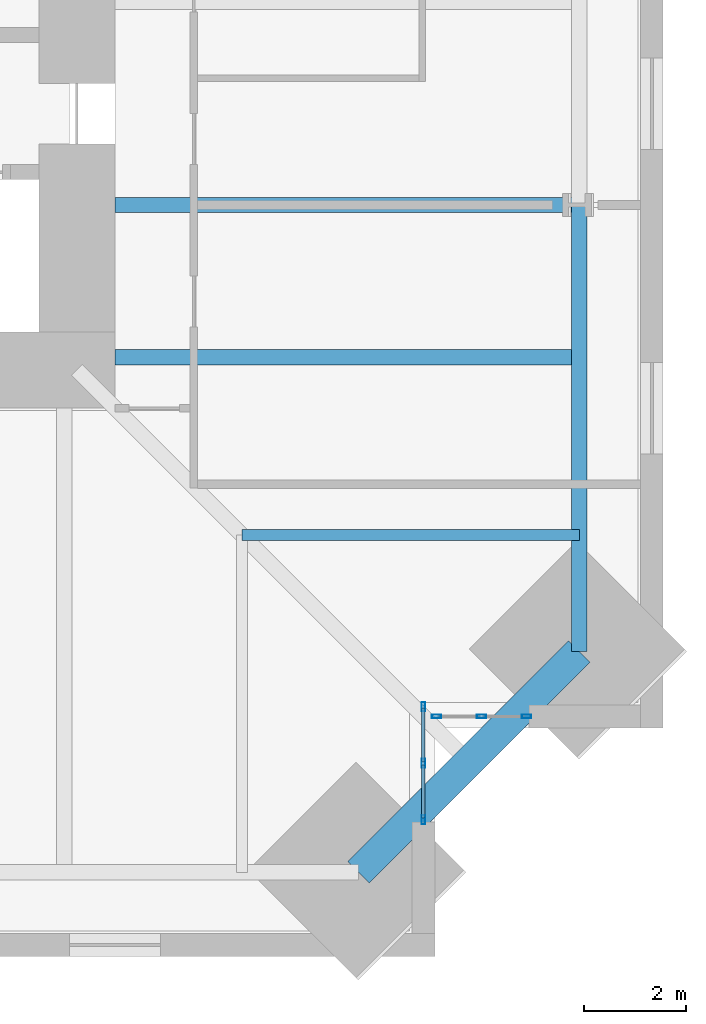
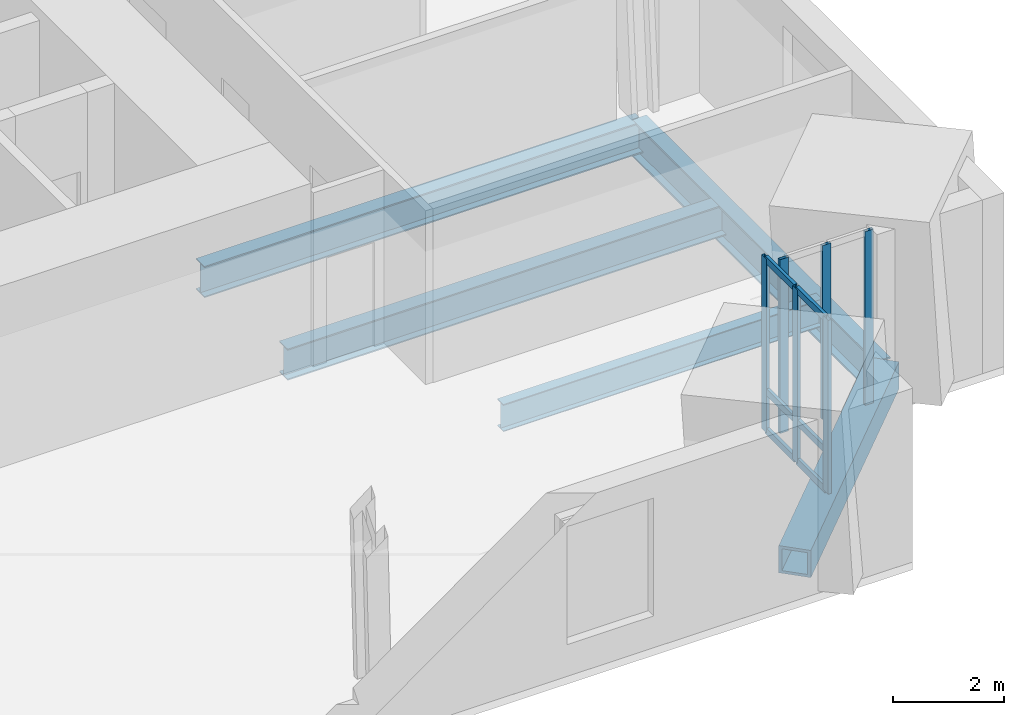
# One storey, part 4 of 15: 12 members, 5 beams, 2 elements without a shape of their own.
"""IFC4 building model written with IfcOpenShell, lengths in metres."""

from ifc_helpers import new_model, si_unit, direction, frame, origin, origin_2d, place, context, subcontext, project, spatial, hollow_rectangle, i_section, extrude, material, material_profile, profile_set, type_object, element, aggregate, save


model = new_model("IFC4")

# Units and contexts
model_context = context("Model", 3, precision=1e-05, world=origin(), true_north=direction((0.0, 1.0)))
body_context = subcontext(model_context, "Body", "Model", "MODEL_VIEW")
ifc_project = project(units=[si_unit("LENGTHUNIT", "METRE"), si_unit("AREAUNIT", "SQUARE_METRE"), si_unit("VOLUMEUNIT", "CUBIC_METRE"), si_unit("PLANEANGLEUNIT", "RADIAN"), si_unit("MASSUNIT", "GRAM", prefix="KILO")], contexts=[model_context])

# Site, building, storey
site_placement = place(None, origin())
site = spatial("IfcSite", under=ifc_project, at=site_placement, CompositionType="ELEMENT")
building_placement = place(site_placement, origin())
building = spatial("IfcBuilding", under=site, at=building_placement, Name="Peilmerk Tower", CompositionType="ELEMENT")
storey_placement = place(building_placement, frame((0.0, 0.0, 241.800048828125)))
storey = spatial("IfcBuildingStorey", under=building, at=storey_placement, Name="L53", CompositionType="ELEMENT", Elevation=241.800048828125)

# Beams
ifc_material_1 = material(Name="Steel S355", Category="steel")
ifc_material_profile_1 = material_profile(ifc_material_1, i_section(OverallWidth=0.219970703125, OverallDepth=0.60009765625, WebThickness=0.011962890625, FlangeThickness=0.01904296875, at=origin_2d()), Name="IPE 600")
ifc_profile_set_1 = profile_set([ifc_material_profile_1], Name="Steel S355")
beam_type_1 = type_object("IfcBeamType", Name="B10 IPE 600 floor beam", PredefinedType="BEAM", material=ifc_profile_set_1)
beam_1_placement = place(storey_placement, frame((14.5, -14.5, -0.469970703125), z_axis=(1.0, 0.0, 0.0), x_axis=(0.0, 1.0, 0.0)))
element("IfcBeam", 1, at=beam_1_placement, inside=storey, type_object=beam_type_1, Name="Floor beam L53", PredefinedType="BEAM", context=body_context, shape_type="SweptSolid", body=[
    extrude(i_section(OverallWidth=0.219970703125, OverallDepth=0.60009765625, WebThickness=0.011962890625, FlangeThickness=0.01904296875, at=origin_2d()), origin(), (0.0, 0.0, 1.0), 6.646728515625),
])
ifc_material_profile_2 = material_profile(ifc_material_1, i_section(OverallWidth=0.302978515625, OverallDepth=0.81396484375, WebThickness=0.02099609375, FlangeThickness=0.0400390625, at=origin_2d()), Name="HEM 800")
ifc_profile_set_2 = profile_set([ifc_material_profile_2], Name="Steel S355")
beam_type_2 = type_object("IfcBeamType", Name="B15 HEM 800 edge beam", PredefinedType="SPANDREL", material=ifc_profile_set_2)
beam_2_placement = place(storey_placement, frame((21.146728515625, -16.796875, -0.5771484375), z_axis=(0.0, 1.0, 0.0), x_axis=(-1.0, 0.0, 0.0)))
element("IfcBeam", 2, at=beam_2_placement, inside=storey, type_object=beam_type_2, Name="Edge beam L53", PredefinedType="SPANDREL", context=body_context, shape_type="SweptSolid", body=[
    extrude(i_section(OverallWidth=0.302978515625, OverallDepth=0.81396484375, WebThickness=0.02099609375, FlangeThickness=0.0400390625, at=origin_2d()), origin(), (0.0, 0.0, 1.0), 8.796875),
])
ifc_material_profile_3 = material_profile(ifc_material_1, i_section(OverallWidth=0.300048828125, OverallDepth=0.68994140625, WebThickness=0.014404296875, FlangeThickness=0.027099609375, at=origin_2d()), Name="HEA 700")
ifc_profile_set_3 = profile_set([ifc_material_profile_3], Name="Steel S355")
beam_type_3 = type_object("IfcBeamType", Name="B16 HEA 700 floor beam", PredefinedType="BEAM", material=ifc_profile_set_3)
for number, where, z_axis, x_axis, name in (
    (3, (12.0, -11.0, -0.51513671875), (1.0, 0.0, 0.0), (0.0, 1.0, 0.0), "Floor beam L53"),
    (4, (12.0, -8.0, -0.51513671875), (1.0, 0.0, 0.0), (0.0, 1.0, 0.0), "Floor beam L53"),
):
    element("IfcBeam", number, at=place(storey_placement, frame(where, z_axis=z_axis, x_axis=x_axis)), inside=storey, type_object=beam_type_3, Name=name, PredefinedType="BEAM", context=body_context, shape_type="SweptSolid", body=[
        extrude(i_section(OverallWidth=0.300048828125, OverallDepth=0.68994140625, WebThickness=0.014404296875, FlangeThickness=0.027099609375, at=origin_2d()), origin(), (0.0, 0.0, 1.0), 9.146728515625),
    ])
ifc_material_2 = material(Name="Steel S460", Category="steel")
ifc_material_profile_4 = material_profile(ifc_material_2, hollow_rectangle(XDim=0.60009765625, YDim=0.60009765625, WallThickness=0.06005859375, at=origin_2d()), Name="BOX 600x600x60")
ifc_profile_set_4 = profile_set([ifc_material_profile_4], Name="Steel S460")
beam_type_4 = type_object("IfcBeamType", Name="B20 BOX 600x600x60 notch beam", PredefinedType="SPANDREL", material=ifc_profile_set_4)
beam_3_placement = place(storey_placement, frame((21.146728515625, -16.796875, -0.469970703125), z_axis=(-0.707106781187, -0.707106781187, 0.0), x_axis=(0.707106781187, -0.707106781187, 0.0)))
element("IfcBeam", 5, at=beam_3_placement, inside=storey, type_object=beam_type_4, Name="Notch beam L53", PredefinedType="SPANDREL", context=body_context, shape_type="SweptSolid", body=[
    extrude(hollow_rectangle(XDim=0.60009765625, YDim=0.60009765625, WallThickness=0.06005859375, at=origin_2d()), origin(), (0.0, 0.0, 1.0), 6.151611328125),
])

# Curtain wall, members
ifc_material_3 = material(Name="Aluminium stick curtain wall", Category="aluminium")
curtain_wall_type = type_object("IfcCurtainWallType", Name="CW4 stick curtain wall, 2250 module", PredefinedType="NOTDEFINED", material=ifc_material_3)
curtain_wall_1_placement = place(storey_placement, origin())
curtain_wall_1 = element("IfcCurtainWall", 6, at=curtain_wall_1_placement, inside=storey, type_object=curtain_wall_type, Name="Curtain wall CW4 SEA L53", PredefinedType="NOTDEFINED")
ifc_material_4 = material(Name="Aluminium EN AW-6063 T6", Category="aluminium")
ifc_material_profile_5 = material_profile(ifc_material_4, hollow_rectangle(XDim=0.06494140625, YDim=0.179931640625, WallThickness=0.0029296875, at=origin_2d()), Name="AL 180x65x3")
ifc_profile_set_5 = profile_set([ifc_material_profile_5], Name="Aluminium EN AW-6063 T6")
member_type_1 = type_object("IfcMemberType", Name="CW4-M AL 180x65x3 mullion", PredefinedType="MULLION", material=ifc_profile_set_5)
member_1_placement = place(storey_placement, frame((18.074951171875, -17.882568359375, 0.0), z_axis=(0.0, 0.0, 1.0), x_axis=(1.0, 0.0, 0.0)))
member_1 = element("IfcMember", 7, at=member_1_placement, type_object=member_type_1, Name="CW4 mullion 1", PredefinedType="MULLION", context=body_context, shape_type="SweptSolid", body=[
    extrude(hollow_rectangle(XDim=0.06494140625, YDim=0.179931640625, WallThickness=0.0029296875, at=origin_2d()), origin(), (0.0, 0.0, 1.0), 3.829833984375),
])
member_2_placement = place(storey_placement, frame((18.074951171875, -18.994384765625, 0.0), z_axis=(0.0, 0.0, 1.0), x_axis=(1.0, 0.0, 0.0)))
member_2 = element("IfcMember", 8, at=member_2_placement, type_object=member_type_1, Name="CW4 mullion 2", PredefinedType="MULLION", context=body_context, shape_type="SweptSolid", body=[
    extrude(hollow_rectangle(XDim=0.06494140625, YDim=0.179931640625, WallThickness=0.0029296875, at=origin_2d()), origin(), (0.0, 0.0, 1.0), 3.829833984375),
])
member_3_placement = place(storey_placement, frame((18.074951171875, -20.106201171875, 0.0), z_axis=(0.0, 0.0, 1.0), x_axis=(1.0, 0.0, 0.0)))
member_3 = element("IfcMember", 9, at=member_3_placement, type_object=member_type_1, Name="CW4 mullion 3", PredefinedType="MULLION", context=body_context, shape_type="SweptSolid", body=[
    extrude(hollow_rectangle(XDim=0.06494140625, YDim=0.179931640625, WallThickness=0.0029296875, at=origin_2d()), origin(), (0.0, 0.0, 1.0), 3.829833984375),
])

curtain_wall_2_placement = place(storey_placement, origin())
curtain_wall_2 = element("IfcCurtainWall", 10, at=curtain_wall_2_placement, inside=storey, type_object=curtain_wall_type, Name="Curtain wall CW4 SEB L53", PredefinedType="NOTDEFINED")
member_4_placement = place(storey_placement, frame((18.33251953125, -18.074951171875, 0.0), z_axis=(0.0, 0.0, 1.0), x_axis=(0.0, 1.0, 0.0)))
member_4 = element("IfcMember", 11, at=member_4_placement, type_object=member_type_1, Name="CW4 mullion 1", PredefinedType="MULLION", context=body_context, shape_type="SweptSolid", body=[
    extrude(hollow_rectangle(XDim=0.06494140625, YDim=0.179931640625, WallThickness=0.0029296875, at=origin_2d()), origin(), (0.0, 0.0, 1.0), 3.829833984375),
])
member_5_placement = place(storey_placement, frame((19.21923828125, -18.074951171875, 0.0), z_axis=(0.0, 0.0, 1.0), x_axis=(0.0, 1.0, 0.0)))
member_5 = element("IfcMember", 12, at=member_5_placement, type_object=member_type_1, Name="CW4 mullion 2", PredefinedType="MULLION", context=body_context, shape_type="SweptSolid", body=[
    extrude(hollow_rectangle(XDim=0.06494140625, YDim=0.179931640625, WallThickness=0.0029296875, at=origin_2d()), origin(), (0.0, 0.0, 1.0), 3.829833984375),
])
member_6_placement = place(storey_placement, frame((20.106201171875, -18.074951171875, 0.0), z_axis=(0.0, 0.0, 1.0), x_axis=(0.0, 1.0, 0.0)))
member_6 = element("IfcMember", 13, at=member_6_placement, type_object=member_type_1, Name="CW4 mullion 3", PredefinedType="MULLION", context=body_context, shape_type="SweptSolid", body=[
    extrude(hollow_rectangle(XDim=0.06494140625, YDim=0.179931640625, WallThickness=0.0029296875, at=origin_2d()), origin(), (0.0, 0.0, 1.0), 3.829833984375),
])
aggregate(curtain_wall_2, [member_4, member_5, member_6])

# Member
ifc_material_profile_6 = material_profile(ifc_material_4, hollow_rectangle(XDim=0.06494140625, YDim=0.14990234375, WallThickness=0.0029296875, at=origin_2d()), Name="AL 150x65x3")
ifc_profile_set_6 = profile_set([ifc_material_profile_6], Name="Aluminium EN AW-6063 T6")
member_type_2 = type_object("IfcMemberType", Name="CW4-T AL 150x65x3 transom", PredefinedType="USERDEFINED", material=ifc_profile_set_6)
member_7_placement = place(storey_placement, frame((18.074951171875, -17.9150390625, 0.032470703125), z_axis=(0.0, -1.0, 0.0), x_axis=(1.0, 0.0, 0.0)))
member_7 = element("IfcMember", 14, at=member_7_placement, type_object=member_type_2, Name="CW4 transom 1.1", ObjectType="TRANSOM", PredefinedType="USERDEFINED", context=body_context, shape_type="SweptSolid", body=[
    extrude(hollow_rectangle(XDim=0.06494140625, YDim=0.14990234375, WallThickness=0.0029296875, at=origin_2d()), origin(), (0.0, 0.0, 1.0), 1.046875),
])

member_8_placement = place(storey_placement, frame((18.074951171875, -17.9150390625, 0.89990234375), z_axis=(0.0, -1.0, 0.0), x_axis=(1.0, 0.0, 0.0)))
member_8 = element("IfcMember", 15, at=member_8_placement, type_object=member_type_2, Name="CW4 transom 1.2", ObjectType="TRANSOM", PredefinedType="USERDEFINED", context=body_context, shape_type="SweptSolid", body=[
    extrude(hollow_rectangle(XDim=0.06494140625, YDim=0.14990234375, WallThickness=0.0029296875, at=origin_2d()), origin(), (0.0, 0.0, 1.0), 1.046875),
])

member_9_placement = place(storey_placement, frame((18.074951171875, -17.9150390625, 3.79736328125), z_axis=(0.0, -1.0, 0.0), x_axis=(1.0, 0.0, 0.0)))
member_9 = element("IfcMember", 16, at=member_9_placement, type_object=member_type_2, Name="CW4 transom 1.3", ObjectType="TRANSOM", PredefinedType="USERDEFINED", context=body_context, shape_type="SweptSolid", body=[
    extrude(hollow_rectangle(XDim=0.06494140625, YDim=0.14990234375, WallThickness=0.0029296875, at=origin_2d()), origin(), (0.0, 0.0, 1.0), 1.046875),
])

member_10_placement = place(storey_placement, frame((18.074951171875, -19.02685546875, 0.032470703125), z_axis=(0.0, -1.0, 0.0), x_axis=(1.0, 0.0, 0.0)))
member_10 = element("IfcMember", 17, at=member_10_placement, type_object=member_type_2, Name="CW4 transom 2.1", ObjectType="TRANSOM", PredefinedType="USERDEFINED", context=body_context, shape_type="SweptSolid", body=[
    extrude(hollow_rectangle(XDim=0.06494140625, YDim=0.14990234375, WallThickness=0.0029296875, at=origin_2d()), origin(), (0.0, 0.0, 1.0), 1.046875),
])

member_11_placement = place(storey_placement, frame((18.074951171875, -19.02685546875, 0.89990234375), z_axis=(0.0, -1.0, 0.0), x_axis=(1.0, 0.0, 0.0)))
member_11 = element("IfcMember", 18, at=member_11_placement, type_object=member_type_2, Name="CW4 transom 2.2", ObjectType="TRANSOM", PredefinedType="USERDEFINED", context=body_context, shape_type="SweptSolid", body=[
    extrude(hollow_rectangle(XDim=0.06494140625, YDim=0.14990234375, WallThickness=0.0029296875, at=origin_2d()), origin(), (0.0, 0.0, 1.0), 1.046875),
])

member_12_placement = place(storey_placement, frame((18.074951171875, -19.02685546875, 3.79736328125), z_axis=(0.0, -1.0, 0.0), x_axis=(1.0, 0.0, 0.0)))
member_12 = element("IfcMember", 19, at=member_12_placement, type_object=member_type_2, Name="CW4 transom 2.3", ObjectType="TRANSOM", PredefinedType="USERDEFINED", context=body_context, shape_type="SweptSolid", body=[
    extrude(hollow_rectangle(XDim=0.06494140625, YDim=0.14990234375, WallThickness=0.0029296875, at=origin_2d()), origin(), (0.0, 0.0, 1.0), 1.046875),
])

aggregate(curtain_wall_1, [member_1, member_2, member_3, member_7, member_8, member_9, member_10, member_11, member_12])

save(model, "model.ifc")
